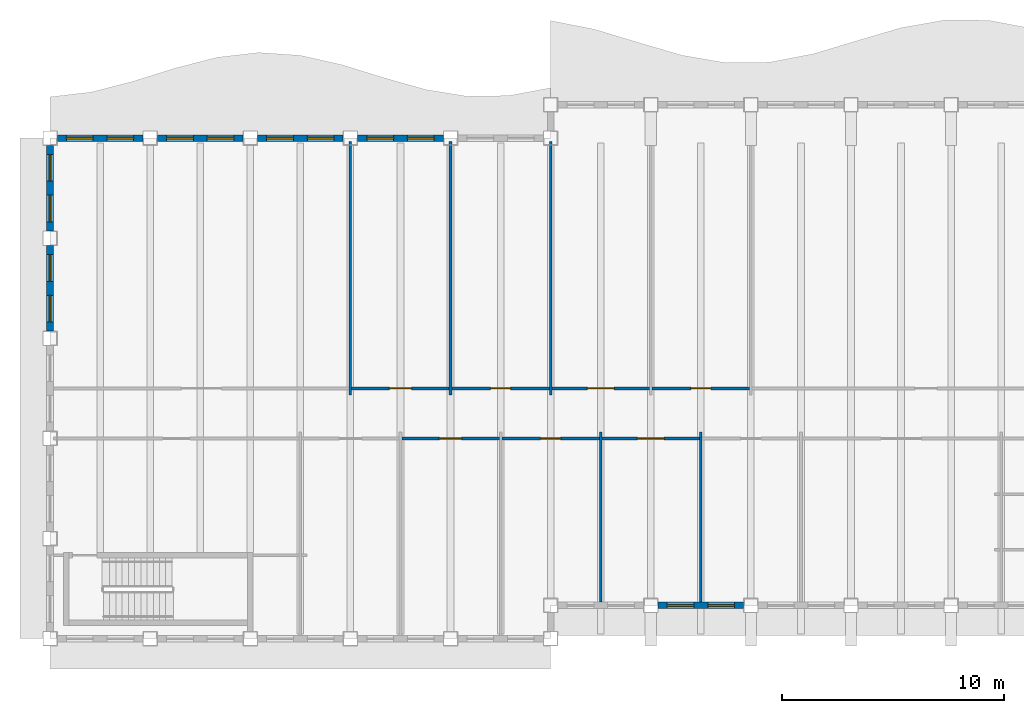
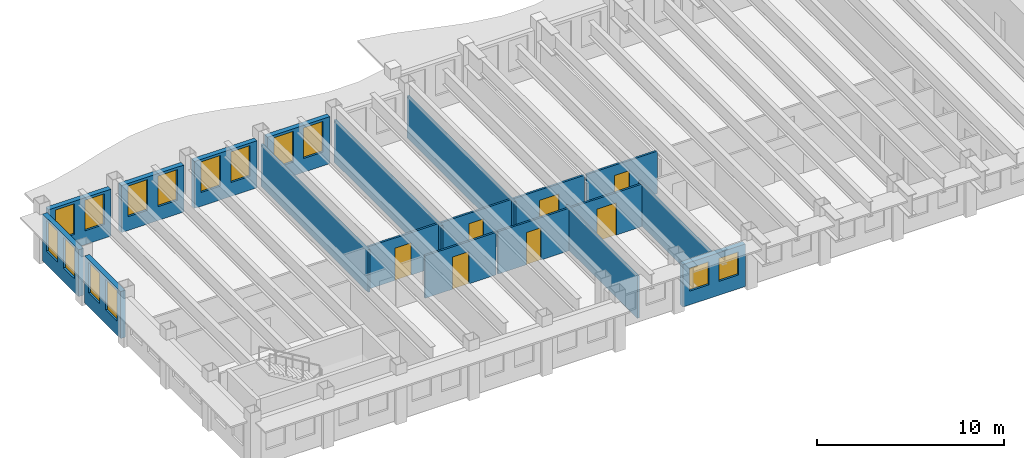
# One storey, part 3 of 12: 19 walls, 14 windows, 7 doors, 21 openings.
"""IFC4 building model written with IfcOpenShell, lengths in metres."""

from ifc_helpers import new_model, si_unit, direction, frame, frame_2d, origin, place, context, subcontext, project, spatial, rectangle, extrude, material, layer, layer_set, type_object, element, fill, save


model = new_model("IFC4")

# Units and contexts
model_context = context("Model", 3, precision=1e-05, world=origin(), true_north=direction((0.0, 1.0)))
body_context = subcontext(model_context, "Body", "Model", "MODEL_VIEW")
ifc_project = project(units=[si_unit("LENGTHUNIT", "METRE"), si_unit("AREAUNIT", "SQUARE_METRE"), si_unit("VOLUMEUNIT", "CUBIC_METRE"), si_unit("PLANEANGLEUNIT", "RADIAN"), si_unit("MASSUNIT", "GRAM", prefix="KILO")], contexts=[model_context])

# Site, building, storey
site_placement = place(None, origin())
site = spatial("IfcSite", under=ifc_project, at=site_placement, CompositionType="ELEMENT")
building_placement = place(site_placement, origin())
building = spatial("IfcBuilding", under=site, at=building_placement, Name="Sennacour Bend Tower", CompositionType="ELEMENT")
storey_placement = place(building_placement, frame((0.0, 0.0, 293.0)))
storey = spatial("IfcBuildingStorey", under=building, at=storey_placement, Name="L68", CompositionType="ELEMENT", Elevation=293.0)

# Walls
ifc_material_1 = material(Name="Plasterboard partition on steel studs", Category="steel")
ifc_layer_1 = layer(ifc_material_1, 0.1201171875, Name="Plasterboard partition on steel studs", Category="steel")
ifc_layer_set_1 = layer_set([ifc_layer_1], Name="Plasterboard partition on steel studs")
wall_type_1 = type_object("IfcWallType", Name="Partition 120", PredefinedType="PARTITIONING", material=ifc_layer_set_1)
for number, where, z_axis, x_axis, name in (
    (1, (13.5, 10.949951171875, 0.0), (0.0, 0.0, 1.0), (0.0, 1.0, 0.0), "P-L68-W005a"),
    (2, (18.0, 10.949951171875, 0.0), (0.0, 0.0, 1.0), (0.0, 1.0, 0.0), "P-L68-W007a"),
    (3, (22.5, 10.949951171875, 0.0), (0.0, 0.0, 1.0), (0.0, 1.0, 0.0), "P-L68-W009a"),
):
    element("IfcWall", number, at=place(storey_placement, frame(where, z_axis=z_axis, x_axis=x_axis)), inside=storey, type_object=wall_type_1, Name=name, PredefinedType="PARTITIONING", context=body_context, shape_type="SweptSolid", body=[
        extrude(rectangle(XDim=11.400146484375, YDim=0.1201171875, at=frame_2d((5.7001953125, 0.0))), origin(), (0.0, 0.0, 1.0), 2.77001953125),
    ])
for number, where, z_axis, x_axis, name in (
    (4, (24.75, 1.64990234375, 0.0), (0.0, 0.0, 1.0), (0.0, 1.0, 0.0), "P-L68-W010a"),
    (5, (29.25, 1.64990234375, 0.0), (0.0, 0.0, 1.0), (0.0, 1.0, 0.0), "P-L68-W012a"),
):
    element("IfcWall", number, at=place(storey_placement, frame(where, z_axis=z_axis, x_axis=x_axis)), inside=storey, type_object=wall_type_1, Name=name, PredefinedType="PARTITIONING", context=body_context, shape_type="SweptSolid", body=[
        extrude(rectangle(XDim=7.650146484375, YDim=0.1201171875, at=frame_2d((3.8251953125, 0.0))), origin(), (0.0, 0.0, 1.0), 2.77001953125),
    ])

# Wall, opening, door
wall_1_placement = place(storey_placement, frame((15.81005859375, 9.0, 0.0), z_axis=(0.0, 0.0, 1.0), x_axis=(1.0, 0.0, 0.0)))
wall_1 = element("IfcWall", 6, at=wall_1_placement, inside=storey, type_object=wall_type_1, Name="P-L68-W041ac", PredefinedType="PARTITIONING", context=body_context, shape_type="SweptSolid", body=[
    extrude(rectangle(XDim=4.3798828125, YDim=0.1201171875, at=frame_2d((2.18994140625, 0.0))), origin(), (0.0, 0.0, 1.0), 2.77001953125),
])
opening_1_placement = place(wall_1_placement, frame((1.68994140625, 0.0, 0.0)))
opening_1 = element("IfcOpeningElement", 7, at=opening_1_placement, cuts=wall_1, Name="Opening OD2", PredefinedType="OPENING", context=body_context, shape_type="SweptSolid", body=[
    extrude(rectangle(XDim=1.0, YDim=2.10009765625, at=frame_2d((0.5, 1.050048828125))), frame((0.0, 0.070068359375, 0.0), z_axis=(0.0, -1.0, 0.0), x_axis=(1.0, 0.0, 0.0)), (0.0, 0.0, 1.0), 0.14013671875),
])
ifc_material_2 = material(Name="Timber", Category="wood")
door_type_1 = type_object("IfcDoorType", Name="DR-OFFICE-1000", OperationType="NOTDEFINED", PredefinedType="DOOR", material=ifc_material_2)
door_1_placement = place(opening_1_placement, origin())
door_1 = element("IfcDoor", 8, at=door_1_placement, inside=storey, type_object=door_type_1, Name="Door", OperationType="SINGLE_SWING_LEFT", OverallHeight=2.10009765625, OverallWidth=1.0, PredefinedType="DOOR", context=body_context, shape_type="SweptSolid", body=[
    extrude(rectangle(XDim=1.0, YDim=2.10009765625, at=frame_2d((0.5, 1.050048828125))), frame((0.0, 0.02490234375, 0.0), z_axis=(0.0, -1.0, 0.0), x_axis=(1.0, 0.0, 0.0)), (0.0, 0.0, 1.0), 0.050048828125),
])
fill(opening_1, door_1)

wall_2_placement = place(storey_placement, frame((24.81005859375, 9.0, 0.0), z_axis=(0.0, 0.0, 1.0), x_axis=(1.0, 0.0, 0.0)))
wall_2 = element("IfcWall", 9, at=wall_2_placement, inside=storey, type_object=wall_type_1, Name="P-L68-W041ae", PredefinedType="PARTITIONING", context=body_context, shape_type="SweptSolid", body=[
    extrude(rectangle(XDim=4.3798828125, YDim=0.1201171875, at=frame_2d((2.18994140625, 0.0))), origin(), (0.0, 0.0, 1.0), 2.77001953125),
])
opening_2_placement = place(wall_2_placement, frame((1.58984375, 0.0, 0.0)))
opening_2 = element("IfcOpeningElement", 10, at=opening_2_placement, cuts=wall_2, Name="Opening OD", PredefinedType="OPENING", context=body_context, shape_type="SweptSolid", body=[
    extrude(rectangle(XDim=1.199951171875, YDim=2.10009765625, at=frame_2d((0.60009765625, 1.050048828125))), frame((0.0, 0.070068359375, 0.0), z_axis=(0.0, -1.0, 0.0), x_axis=(1.0, 0.0, 0.0)), (0.0, 0.0, 1.0), 0.14013671875),
])
door_type_2 = type_object("IfcDoorType", Name="DR-OFFICE-1200", OperationType="NOTDEFINED", PredefinedType="DOOR", material=ifc_material_2)
door_2_placement = place(opening_2_placement, origin())
door_2 = element("IfcDoor", 11, at=door_2_placement, inside=storey, type_object=door_type_2, Name="Door", OperationType="SINGLE_SWING_LEFT", OverallHeight=2.10009765625, OverallWidth=1.199951171875, PredefinedType="DOOR", context=body_context, shape_type="SweptSolid", body=[
    extrude(rectangle(XDim=1.199951171875, YDim=2.10009765625, at=frame_2d((0.60009765625, 1.050048828125))), frame((0.0, 0.02490234375, 0.0), z_axis=(0.0, -1.0, 0.0), x_axis=(1.0, 0.0, 0.0)), (0.0, 0.0, 1.0), 0.050048828125),
])
fill(opening_2, door_2)

wall_3_placement = place(storey_placement, frame((13.56005859375, 11.25, 0.0), z_axis=(0.0, 0.0, 1.0), x_axis=(1.0, 0.0, 0.0)))
wall_3 = element("IfcWall", 12, at=wall_3_placement, inside=storey, type_object=wall_type_1, Name="P-L68-W043ab", PredefinedType="PARTITIONING", context=body_context, shape_type="SweptSolid", body=[
    extrude(rectangle(XDim=4.3798828125, YDim=0.1201171875, at=frame_2d((2.18994140625, 0.0))), origin(), (0.0, 0.0, 1.0), 2.77001953125),
])
opening_3_placement = place(wall_3_placement, frame((1.68994140625, 0.0, 0.0)))
opening_3 = element("IfcOpeningElement", 13, at=opening_3_placement, cuts=wall_3, Name="Opening OD2", PredefinedType="OPENING", context=body_context, shape_type="SweptSolid", body=[
    extrude(rectangle(XDim=1.0, YDim=2.10009765625, at=frame_2d((0.5, 1.050048828125))), frame((0.0, 0.070068359375, 0.0), z_axis=(0.0, -1.0, 0.0), x_axis=(1.0, 0.0, 0.0)), (0.0, 0.0, 1.0), 0.14013671875),
])
door_3_placement = place(opening_3_placement, origin())
door_3 = element("IfcDoor", 14, at=door_3_placement, inside=storey, type_object=door_type_1, Name="Door", OperationType="SINGLE_SWING_LEFT", OverallHeight=2.10009765625, OverallWidth=1.0, PredefinedType="DOOR", context=body_context, shape_type="SweptSolid", body=[
    extrude(rectangle(XDim=1.0, YDim=2.10009765625, at=frame_2d((0.5, 1.050048828125))), frame((0.0, 0.02490234375, 0.0), z_axis=(0.0, -1.0, 0.0), x_axis=(1.0, 0.0, 0.0)), (0.0, 0.0, 1.0), 0.050048828125),
])
fill(opening_3, door_3)

wall_4_placement = place(storey_placement, frame((22.56005859375, 11.25, 0.0), z_axis=(0.0, 0.0, 1.0), x_axis=(1.0, 0.0, 0.0)))
wall_4 = element("IfcWall", 15, at=wall_4_placement, inside=storey, type_object=wall_type_1, Name="P-L68-W043ad", PredefinedType="PARTITIONING", context=body_context, shape_type="SweptSolid", body=[
    extrude(rectangle(XDim=4.3798828125, YDim=0.1201171875, at=frame_2d((2.18994140625, 0.0))), origin(), (0.0, 0.0, 1.0), 2.77001953125),
])
opening_4_placement = place(wall_4_placement, frame((1.58984375, 0.0, 0.0)))
opening_4 = element("IfcOpeningElement", 16, at=opening_4_placement, cuts=wall_4, Name="Opening OD", PredefinedType="OPENING", context=body_context, shape_type="SweptSolid", body=[
    extrude(rectangle(XDim=1.199951171875, YDim=2.10009765625, at=frame_2d((0.60009765625, 1.050048828125))), frame((0.0, 0.070068359375, 0.0), z_axis=(0.0, -1.0, 0.0), x_axis=(1.0, 0.0, 0.0)), (0.0, 0.0, 1.0), 0.14013671875),
])
door_4_placement = place(opening_4_placement, origin())
door_4 = element("IfcDoor", 17, at=door_4_placement, inside=storey, type_object=door_type_2, Name="Door", OperationType="SINGLE_SWING_LEFT", OverallHeight=2.10009765625, OverallWidth=1.199951171875, PredefinedType="DOOR", context=body_context, shape_type="SweptSolid", body=[
    extrude(rectangle(XDim=1.199951171875, YDim=2.10009765625, at=frame_2d((0.60009765625, 1.050048828125))), frame((0.0, 0.02490234375, 0.0), z_axis=(0.0, -1.0, 0.0), x_axis=(1.0, 0.0, 0.0)), (0.0, 0.0, 1.0), 0.050048828125),
])
fill(opening_4, door_4)

ifc_layer_2 = layer(ifc_material_1, 0.1201171875, Name="Plasterboard partition on steel studs", Category="steel")
ifc_layer_set_2 = layer_set([ifc_layer_2], Name="Plasterboard partition on steel studs")
wall_type_2 = type_object("IfcWallType", Name="Partition 120 EI 60", PredefinedType="PARTITIONING", material=ifc_layer_set_2)
wall_5_placement = place(storey_placement, frame((20.31005859375, 9.0, 0.0), z_axis=(0.0, 0.0, 1.0), x_axis=(1.0, 0.0, 0.0)))
wall_5 = element("IfcWall", 18, at=wall_5_placement, inside=storey, type_object=wall_type_2, Name="P-L68-W041ad", PredefinedType="PARTITIONING", context=body_context, shape_type="SweptSolid", body=[
    extrude(rectangle(XDim=4.3798828125, YDim=0.1201171875, at=frame_2d((2.18994140625, 0.0))), origin(), (0.0, 0.0, 1.0), 2.77001953125),
])
opening_5_placement = place(wall_5_placement, frame((1.739990234375, 0.0, 0.0)))
opening_5 = element("IfcOpeningElement", 19, at=opening_5_placement, cuts=wall_5, Name="Opening SV", PredefinedType="OPENING", context=body_context, shape_type="SweptSolid", body=[
    extrude(rectangle(XDim=0.89990234375, YDim=2.10009765625, at=frame_2d((0.449951171875, 1.050048828125))), frame((0.0, 0.070068359375, 0.0), z_axis=(0.0, -1.0, 0.0), x_axis=(1.0, 0.0, 0.0)), (0.0, 0.0, 1.0), 0.14013671875),
])
ifc_material_3 = material(Name="Painted steel", Category="steel")
door_type_3 = type_object("IfcDoorType", Name="DR-SERVICE-900", OperationType="NOTDEFINED", PredefinedType="DOOR", material=ifc_material_3)
door_5_placement = place(opening_5_placement, origin())
door_5 = element("IfcDoor", 20, at=door_5_placement, inside=storey, type_object=door_type_3, Name="Door", OperationType="SINGLE_SWING_LEFT", OverallHeight=2.10009765625, OverallWidth=0.89990234375, PredefinedType="DOOR", context=body_context, shape_type="SweptSolid", body=[
    extrude(rectangle(XDim=0.89990234375, YDim=2.10009765625, at=frame_2d((0.449951171875, 1.050048828125))), frame((0.0, 0.02490234375, 0.0), z_axis=(0.0, -1.0, 0.0), x_axis=(1.0, 0.0, 0.0)), (0.0, 0.0, 1.0), 0.050048828125),
])
fill(opening_5, door_5)

wall_6_placement = place(storey_placement, frame((18.06005859375, 11.25, 0.0), z_axis=(0.0, 0.0, 1.0), x_axis=(1.0, 0.0, 0.0)))
wall_6 = element("IfcWall", 21, at=wall_6_placement, inside=storey, type_object=wall_type_2, Name="P-L68-W043ac", PredefinedType="PARTITIONING", context=body_context, shape_type="SweptSolid", body=[
    extrude(rectangle(XDim=4.3798828125, YDim=0.1201171875, at=frame_2d((2.18994140625, 0.0))), origin(), (0.0, 0.0, 1.0), 2.77001953125),
])
opening_6_placement = place(wall_6_placement, frame((1.739990234375, 0.0, 0.0)))
opening_6 = element("IfcOpeningElement", 22, at=opening_6_placement, cuts=wall_6, Name="Opening SV", PredefinedType="OPENING", context=body_context, shape_type="SweptSolid", body=[
    extrude(rectangle(XDim=0.89990234375, YDim=2.10009765625, at=frame_2d((0.449951171875, 1.050048828125))), frame((0.0, 0.070068359375, 0.0), z_axis=(0.0, -1.0, 0.0), x_axis=(1.0, 0.0, 0.0)), (0.0, 0.0, 1.0), 0.14013671875),
])
door_6_placement = place(opening_6_placement, origin())
door_6 = element("IfcDoor", 23, at=door_6_placement, inside=storey, type_object=door_type_3, Name="Door", OperationType="SINGLE_SWING_LEFT", OverallHeight=2.10009765625, OverallWidth=0.89990234375, PredefinedType="DOOR", context=body_context, shape_type="SweptSolid", body=[
    extrude(rectangle(XDim=0.89990234375, YDim=2.10009765625, at=frame_2d((0.449951171875, 1.050048828125))), frame((0.0, 0.02490234375, 0.0), z_axis=(0.0, -1.0, 0.0), x_axis=(1.0, 0.0, 0.0)), (0.0, 0.0, 1.0), 0.050048828125),
])
fill(opening_6, door_6)

wall_7_placement = place(storey_placement, frame((27.06005859375, 11.25, 0.0), z_axis=(0.0, 0.0, 1.0), x_axis=(1.0, 0.0, 0.0)))
wall_7 = element("IfcWall", 24, at=wall_7_placement, inside=storey, type_object=wall_type_2, Name="P-L68-W043ae", PredefinedType="PARTITIONING", context=body_context, shape_type="SweptSolid", body=[
    extrude(rectangle(XDim=4.3798828125, YDim=0.1201171875, at=frame_2d((2.18994140625, 0.0))), origin(), (0.0, 0.0, 1.0), 2.77001953125),
])
opening_7_placement = place(wall_7_placement, frame((1.739990234375, 0.0, 0.0)))
opening_7 = element("IfcOpeningElement", 25, at=opening_7_placement, cuts=wall_7, Name="Opening SV", PredefinedType="OPENING", context=body_context, shape_type="SweptSolid", body=[
    extrude(rectangle(XDim=0.89990234375, YDim=2.10009765625, at=frame_2d((0.449951171875, 1.050048828125))), frame((0.0, 0.070068359375, 0.0), z_axis=(0.0, -1.0, 0.0), x_axis=(1.0, 0.0, 0.0)), (0.0, 0.0, 1.0), 0.14013671875),
])
door_7_placement = place(opening_7_placement, origin())
door_7 = element("IfcDoor", 26, at=door_7_placement, inside=storey, type_object=door_type_3, Name="Door", OperationType="SINGLE_SWING_LEFT", OverallHeight=2.10009765625, OverallWidth=0.89990234375, PredefinedType="DOOR", context=body_context, shape_type="SweptSolid", body=[
    extrude(rectangle(XDim=0.89990234375, YDim=2.10009765625, at=frame_2d((0.449951171875, 1.050048828125))), frame((0.0, 0.02490234375, 0.0), z_axis=(0.0, -1.0, 0.0), x_axis=(1.0, 0.0, 0.0)), (0.0, 0.0, 1.0), 0.050048828125),
])
fill(opening_7, door_7)

# Wall, openings, windows
ifc_material_4 = material(Name="Warm limestone cladding", Category="masonry")
ifc_layer_3 = layer(ifc_material_4, 0.050048828125, Name="Warm limestone cladding", Category="masonry")
ifc_material_5 = material(Name="Precast concrete C40/50", Category="concrete")
ifc_layer_4 = layer(ifc_material_5, 0.25, Name="Precast concrete C40/50", Category="concrete")
ifc_layer_set_3 = layer_set([ifc_layer_3, ifc_layer_4], Name="Precast concrete C40/50 with limestone cladding")
wall_type_3 = type_object("IfcWallType", Name="STONE-CLAD PRECAST SPANDREL 300", PredefinedType="STANDARD", material=ifc_layer_set_3)
wall_8_placement = place(storey_placement, frame((27.324951171875, 1.5, 0.0), z_axis=(0.0, 0.0, 1.0), x_axis=(1.0, 0.0, 0.0)))
wall_8 = element("IfcWall", 27, at=wall_8_placement, inside=storey, type_object=wall_type_3, Name="Stone spandrel and pier wall L68 01.01", PredefinedType="STANDARD", context=body_context, shape_type="SweptSolid", body=[
    extrude(rectangle(XDim=3.85009765625, YDim=0.300048828125, at=frame_2d((1.925048828125, 0.0))), origin(), (0.0, 0.0, 1.0), 2.77001953125),
])
opening_8_placement = place(wall_8_placement, frame((0.41259765625, 0.0, 0.89990234375)))
opening_8 = element("IfcOpeningElement", 28, at=opening_8_placement, cuts=wall_8, Name="Opening W25", PredefinedType="OPENING", context=body_context, shape_type="SweptSolid", body=[
    extrude(rectangle(XDim=1.199951171875, YDim=1.5, at=frame_2d((0.60009765625, 0.75))), frame((0.0, 0.16015625, 0.0), z_axis=(0.0, -1.0, 0.0), x_axis=(1.0, 0.0, 0.0)), (0.0, 0.0, 1.0), 0.320068359375),
])
opening_9_placement = place(wall_8_placement, frame((2.237548828125, 0.0, 0.89990234375)))
opening_9 = element("IfcOpeningElement", 29, at=opening_9_placement, cuts=wall_8, Name="Opening W25", PredefinedType="OPENING", context=body_context, shape_type="SweptSolid", body=[
    extrude(rectangle(XDim=1.199951171875, YDim=1.5, at=frame_2d((0.60009765625, 0.75))), frame((0.0, 0.16015625, 0.0), z_axis=(0.0, -1.0, 0.0), x_axis=(1.0, 0.0, 0.0)), (0.0, 0.0, 1.0), 0.320068359375),
])
ifc_material_6 = material(Name="Clear low-emissivity glass", Category="glass")
window_type_1 = type_object("IfcWindowType", Name="WIN-RIBBON-1200x1500", PartitioningType="SINGLE_PANEL", PredefinedType="WINDOW", material=ifc_material_6)
window_1_placement = place(opening_8_placement, origin())
window_1 = element("IfcWindow", 30, at=window_1_placement, inside=storey, type_object=window_type_1, Name="Ribbon window L68 01.01.0", OverallHeight=1.5, OverallWidth=1.199951171875, PartitioningType="SINGLE_PANEL", PredefinedType="WINDOW", context=body_context, shape_type="SweptSolid", body=[
    extrude(rectangle(XDim=1.199951171875, YDim=1.5, at=frame_2d((0.60009765625, 0.75))), frame((0.0, 0.030029296875, 0.0), z_axis=(0.0, -1.0, 0.0), x_axis=(1.0, 0.0, 0.0)), (0.0, 0.0, 1.0), 0.06005859375),
])
fill(opening_8, window_1)
window_2_placement = place(opening_9_placement, origin())
window_2 = element("IfcWindow", 31, at=window_2_placement, inside=storey, type_object=window_type_1, Name="Ribbon window L68 01.01.1", OverallHeight=1.5, OverallWidth=1.199951171875, PartitioningType="SINGLE_PANEL", PredefinedType="WINDOW", context=body_context, shape_type="SweptSolid", body=[
    extrude(rectangle(XDim=1.199951171875, YDim=1.5, at=frame_2d((0.60009765625, 0.75))), frame((0.0, 0.030029296875, 0.0), z_axis=(0.0, -1.0, 0.0), x_axis=(1.0, 0.0, 0.0)), (0.0, 0.0, 1.0), 0.06005859375),
])
fill(opening_9, window_2)

wall_9_placement = place(storey_placement, frame((17.675048828125, 22.5, 0.0), z_axis=(0.0, 0.0, 1.0), x_axis=(-1.0, 0.0, 0.0)))
wall_9 = element("IfcWall", 32, at=wall_9_placement, inside=storey, type_object=wall_type_3, Name="Stone spandrel and pier wall L68 09.01", PredefinedType="STANDARD", context=body_context, shape_type="SweptSolid", body=[
    extrude(rectangle(XDim=3.85009765625, YDim=0.300048828125, at=frame_2d((1.925048828125, 0.0))), origin(), (0.0, 0.0, 1.0), 3.06201171875),
])
opening_10_placement = place(wall_9_placement, frame((0.41259765625, 0.0, 0.89990234375)))
opening_10 = element("IfcOpeningElement", 33, at=opening_10_placement, cuts=wall_9, Name="Opening W14", PredefinedType="OPENING", context=body_context, shape_type="SweptSolid", body=[
    extrude(rectangle(XDim=1.199951171875, YDim=2.0, at=frame_2d((0.60009765625, 1.0))), frame((0.0, 0.16015625, 0.0), z_axis=(0.0, -1.0, 0.0), x_axis=(1.0, 0.0, 0.0)), (0.0, 0.0, 1.0), 0.320068359375),
])
opening_11_placement = place(wall_9_placement, frame((2.237548828125, 0.0, 0.89990234375)))
opening_11 = element("IfcOpeningElement", 34, at=opening_11_placement, cuts=wall_9, Name="Opening W14", PredefinedType="OPENING", context=body_context, shape_type="SweptSolid", body=[
    extrude(rectangle(XDim=1.199951171875, YDim=2.0, at=frame_2d((0.60009765625, 1.0))), frame((0.0, 0.16015625, 0.0), z_axis=(0.0, -1.0, 0.0), x_axis=(1.0, 0.0, 0.0)), (0.0, 0.0, 1.0), 0.320068359375),
])
window_type_2 = type_object("IfcWindowType", Name="WIN-RIBBON-1200x2000", PartitioningType="SINGLE_PANEL", PredefinedType="WINDOW", material=ifc_material_6)
window_3_placement = place(opening_10_placement, origin())
window_3 = element("IfcWindow", 35, at=window_3_placement, inside=storey, type_object=window_type_2, Name="Ribbon window L68 09.01.0", OverallHeight=2.0, OverallWidth=1.199951171875, PartitioningType="SINGLE_PANEL", PredefinedType="WINDOW", context=body_context, shape_type="SweptSolid", body=[
    extrude(rectangle(XDim=1.199951171875, YDim=2.0, at=frame_2d((0.60009765625, 1.0))), frame((0.0, 0.030029296875, 0.0), z_axis=(0.0, -1.0, 0.0), x_axis=(1.0, 0.0, 0.0)), (0.0, 0.0, 1.0), 0.06005859375),
])
fill(opening_10, window_3)
window_4_placement = place(opening_11_placement, origin())
window_4 = element("IfcWindow", 36, at=window_4_placement, inside=storey, type_object=window_type_2, Name="Ribbon window L68 09.01.1", OverallHeight=2.0, OverallWidth=1.199951171875, PartitioningType="SINGLE_PANEL", PredefinedType="WINDOW", context=body_context, shape_type="SweptSolid", body=[
    extrude(rectangle(XDim=1.199951171875, YDim=2.0, at=frame_2d((0.60009765625, 1.0))), frame((0.0, 0.030029296875, 0.0), z_axis=(0.0, -1.0, 0.0), x_axis=(1.0, 0.0, 0.0)), (0.0, 0.0, 1.0), 0.06005859375),
])
fill(opening_11, window_4)

wall_10_placement = place(storey_placement, frame((13.175048828125, 22.5, 0.0), z_axis=(0.0, 0.0, 1.0), x_axis=(-1.0, 0.0, 0.0)))
wall_10 = element("IfcWall", 37, at=wall_10_placement, inside=storey, type_object=wall_type_3, Name="Stone spandrel and pier wall L68 09.02", PredefinedType="STANDARD", context=body_context, shape_type="SweptSolid", body=[
    extrude(rectangle(XDim=3.85009765625, YDim=0.300048828125, at=frame_2d((1.925048828125, 0.0))), origin(), (0.0, 0.0, 1.0), 3.06201171875),
])
opening_12_placement = place(wall_10_placement, frame((0.41259765625, 0.0, 0.89990234375)))
opening_12 = element("IfcOpeningElement", 38, at=opening_12_placement, cuts=wall_10, Name="Opening W14", PredefinedType="OPENING", context=body_context, shape_type="SweptSolid", body=[
    extrude(rectangle(XDim=1.199951171875, YDim=2.0, at=frame_2d((0.60009765625, 1.0))), frame((0.0, 0.16015625, 0.0), z_axis=(0.0, -1.0, 0.0), x_axis=(1.0, 0.0, 0.0)), (0.0, 0.0, 1.0), 0.320068359375),
])
opening_13_placement = place(wall_10_placement, frame((2.237548828125, 0.0, 0.89990234375)))
opening_13 = element("IfcOpeningElement", 39, at=opening_13_placement, cuts=wall_10, Name="Opening W14", PredefinedType="OPENING", context=body_context, shape_type="SweptSolid", body=[
    extrude(rectangle(XDim=1.199951171875, YDim=2.0, at=frame_2d((0.60009765625, 1.0))), frame((0.0, 0.16015625, 0.0), z_axis=(0.0, -1.0, 0.0), x_axis=(1.0, 0.0, 0.0)), (0.0, 0.0, 1.0), 0.320068359375),
])
window_5_placement = place(opening_12_placement, origin())
window_5 = element("IfcWindow", 40, at=window_5_placement, inside=storey, type_object=window_type_2, Name="Ribbon window L68 09.02.0", OverallHeight=2.0, OverallWidth=1.199951171875, PartitioningType="SINGLE_PANEL", PredefinedType="WINDOW", context=body_context, shape_type="SweptSolid", body=[
    extrude(rectangle(XDim=1.199951171875, YDim=2.0, at=frame_2d((0.60009765625, 1.0))), frame((0.0, 0.030029296875, 0.0), z_axis=(0.0, -1.0, 0.0), x_axis=(1.0, 0.0, 0.0)), (0.0, 0.0, 1.0), 0.06005859375),
])
fill(opening_12, window_5)
window_6_placement = place(opening_13_placement, origin())
window_6 = element("IfcWindow", 41, at=window_6_placement, inside=storey, type_object=window_type_2, Name="Ribbon window L68 09.02.1", OverallHeight=2.0, OverallWidth=1.199951171875, PartitioningType="SINGLE_PANEL", PredefinedType="WINDOW", context=body_context, shape_type="SweptSolid", body=[
    extrude(rectangle(XDim=1.199951171875, YDim=2.0, at=frame_2d((0.60009765625, 1.0))), frame((0.0, 0.030029296875, 0.0), z_axis=(0.0, -1.0, 0.0), x_axis=(1.0, 0.0, 0.0)), (0.0, 0.0, 1.0), 0.06005859375),
])
fill(opening_13, window_6)

wall_11_placement = place(storey_placement, frame((8.675048828125, 22.5, 0.0), z_axis=(0.0, 0.0, 1.0), x_axis=(-1.0, 0.0, 0.0)))
wall_11 = element("IfcWall", 42, at=wall_11_placement, inside=storey, type_object=wall_type_3, Name="Stone spandrel and pier wall L68 09.03", PredefinedType="STANDARD", context=body_context, shape_type="SweptSolid", body=[
    extrude(rectangle(XDim=3.85009765625, YDim=0.300048828125, at=frame_2d((1.925048828125, 0.0))), origin(), (0.0, 0.0, 1.0), 3.06201171875),
])
opening_14_placement = place(wall_11_placement, frame((0.41259765625, 0.0, 0.89990234375)))
opening_14 = element("IfcOpeningElement", 43, at=opening_14_placement, cuts=wall_11, Name="Opening W14", PredefinedType="OPENING", context=body_context, shape_type="SweptSolid", body=[
    extrude(rectangle(XDim=1.199951171875, YDim=2.0, at=frame_2d((0.60009765625, 1.0))), frame((0.0, 0.16015625, 0.0), z_axis=(0.0, -1.0, 0.0), x_axis=(1.0, 0.0, 0.0)), (0.0, 0.0, 1.0), 0.320068359375),
])
opening_15_placement = place(wall_11_placement, frame((2.237548828125, 0.0, 0.89990234375)))
opening_15 = element("IfcOpeningElement", 44, at=opening_15_placement, cuts=wall_11, Name="Opening W14", PredefinedType="OPENING", context=body_context, shape_type="SweptSolid", body=[
    extrude(rectangle(XDim=1.199951171875, YDim=2.0, at=frame_2d((0.60009765625, 1.0))), frame((0.0, 0.16015625, 0.0), z_axis=(0.0, -1.0, 0.0), x_axis=(1.0, 0.0, 0.0)), (0.0, 0.0, 1.0), 0.320068359375),
])
window_7_placement = place(opening_14_placement, origin())
window_7 = element("IfcWindow", 45, at=window_7_placement, inside=storey, type_object=window_type_2, Name="Ribbon window L68 09.03.0", OverallHeight=2.0, OverallWidth=1.199951171875, PartitioningType="SINGLE_PANEL", PredefinedType="WINDOW", context=body_context, shape_type="SweptSolid", body=[
    extrude(rectangle(XDim=1.199951171875, YDim=2.0, at=frame_2d((0.60009765625, 1.0))), frame((0.0, 0.030029296875, 0.0), z_axis=(0.0, -1.0, 0.0), x_axis=(1.0, 0.0, 0.0)), (0.0, 0.0, 1.0), 0.06005859375),
])
fill(opening_14, window_7)
window_8_placement = place(opening_15_placement, origin())
window_8 = element("IfcWindow", 46, at=window_8_placement, inside=storey, type_object=window_type_2, Name="Ribbon window L68 09.03.1", OverallHeight=2.0, OverallWidth=1.199951171875, PartitioningType="SINGLE_PANEL", PredefinedType="WINDOW", context=body_context, shape_type="SweptSolid", body=[
    extrude(rectangle(XDim=1.199951171875, YDim=2.0, at=frame_2d((0.60009765625, 1.0))), frame((0.0, 0.030029296875, 0.0), z_axis=(0.0, -1.0, 0.0), x_axis=(1.0, 0.0, 0.0)), (0.0, 0.0, 1.0), 0.06005859375),
])
fill(opening_15, window_8)

wall_12_placement = place(storey_placement, frame((4.175048828125, 22.5, 0.0), z_axis=(0.0, 0.0, 1.0), x_axis=(-1.0, 0.0, 0.0)))
wall_12 = element("IfcWall", 47, at=wall_12_placement, inside=storey, type_object=wall_type_3, Name="Stone spandrel and pier wall L68 09.04", PredefinedType="STANDARD", context=body_context, shape_type="SweptSolid", body=[
    extrude(rectangle(XDim=3.85009765625, YDim=0.300048828125, at=frame_2d((1.925048828125, 0.0))), origin(), (0.0, 0.0, 1.0), 3.06201171875),
])
opening_16_placement = place(wall_12_placement, frame((0.41259765625, 0.0, 0.89990234375)))
opening_16 = element("IfcOpeningElement", 48, at=opening_16_placement, cuts=wall_12, Name="Opening W14", PredefinedType="OPENING", context=body_context, shape_type="SweptSolid", body=[
    extrude(rectangle(XDim=1.199951171875, YDim=2.0, at=frame_2d((0.60009765625, 1.0))), frame((0.0, 0.16015625, 0.0), z_axis=(0.0, -1.0, 0.0), x_axis=(1.0, 0.0, 0.0)), (0.0, 0.0, 1.0), 0.320068359375),
])
opening_17_placement = place(wall_12_placement, frame((2.237548828125, 0.0, 0.89990234375)))
opening_17 = element("IfcOpeningElement", 49, at=opening_17_placement, cuts=wall_12, Name="Opening W14", PredefinedType="OPENING", context=body_context, shape_type="SweptSolid", body=[
    extrude(rectangle(XDim=1.199951171875, YDim=2.0, at=frame_2d((0.60009765625, 1.0))), frame((0.0, 0.16015625, 0.0), z_axis=(0.0, -1.0, 0.0), x_axis=(1.0, 0.0, 0.0)), (0.0, 0.0, 1.0), 0.320068359375),
])
window_9_placement = place(opening_16_placement, origin())
window_9 = element("IfcWindow", 50, at=window_9_placement, inside=storey, type_object=window_type_2, Name="Ribbon window L68 09.04.0", OverallHeight=2.0, OverallWidth=1.199951171875, PartitioningType="SINGLE_PANEL", PredefinedType="WINDOW", context=body_context, shape_type="SweptSolid", body=[
    extrude(rectangle(XDim=1.199951171875, YDim=2.0, at=frame_2d((0.60009765625, 1.0))), frame((0.0, 0.030029296875, 0.0), z_axis=(0.0, -1.0, 0.0), x_axis=(1.0, 0.0, 0.0)), (0.0, 0.0, 1.0), 0.06005859375),
])
fill(opening_16, window_9)
window_10_placement = place(opening_17_placement, origin())
window_10 = element("IfcWindow", 51, at=window_10_placement, inside=storey, type_object=window_type_2, Name="Ribbon window L68 09.04.1", OverallHeight=2.0, OverallWidth=1.199951171875, PartitioningType="SINGLE_PANEL", PredefinedType="WINDOW", context=body_context, shape_type="SweptSolid", body=[
    extrude(rectangle(XDim=1.199951171875, YDim=2.0, at=frame_2d((0.60009765625, 1.0))), frame((0.0, 0.030029296875, 0.0), z_axis=(0.0, -1.0, 0.0), x_axis=(1.0, 0.0, 0.0)), (0.0, 0.0, 1.0), 0.06005859375),
])
fill(opening_17, window_10)

wall_13_placement = place(storey_placement, frame((0.0, 22.175048828125, 0.0), z_axis=(0.0, 0.0, 1.0), x_axis=(0.0, -1.0, 0.0)))
wall_13 = element("IfcWall", 52, at=wall_13_placement, inside=storey, type_object=wall_type_3, Name="Stone spandrel and pier wall L68 10.00", PredefinedType="STANDARD", context=body_context, shape_type="SweptSolid", body=[
    extrude(rectangle(XDim=3.85009765625, YDim=0.300048828125, at=frame_2d((1.925048828125, 0.0))), origin(), (0.0, 0.0, 1.0), 3.06201171875),
])
opening_18_placement = place(wall_13_placement, frame((0.41259765625, 0.0, 0.89990234375)))
opening_18 = element("IfcOpeningElement", 53, at=opening_18_placement, cuts=wall_13, Name="Opening W14", PredefinedType="OPENING", context=body_context, shape_type="SweptSolid", body=[
    extrude(rectangle(XDim=1.199951171875, YDim=2.0, at=frame_2d((0.60009765625, 1.0))), frame((0.0, 0.16015625, 0.0), z_axis=(0.0, -1.0, 0.0), x_axis=(1.0, 0.0, 0.0)), (0.0, 0.0, 1.0), 0.320068359375),
])
opening_19_placement = place(wall_13_placement, frame((2.237548828125, 0.0, 0.89990234375)))
opening_19 = element("IfcOpeningElement", 54, at=opening_19_placement, cuts=wall_13, Name="Opening W14", PredefinedType="OPENING", context=body_context, shape_type="SweptSolid", body=[
    extrude(rectangle(XDim=1.199951171875, YDim=2.0, at=frame_2d((0.60009765625, 1.0))), frame((0.0, 0.16015625, 0.0), z_axis=(0.0, -1.0, 0.0), x_axis=(1.0, 0.0, 0.0)), (0.0, 0.0, 1.0), 0.320068359375),
])
window_11_placement = place(opening_18_placement, origin())
window_11 = element("IfcWindow", 55, at=window_11_placement, inside=storey, type_object=window_type_2, Name="Ribbon window L68 10.00.0", OverallHeight=2.0, OverallWidth=1.199951171875, PartitioningType="SINGLE_PANEL", PredefinedType="WINDOW", context=body_context, shape_type="SweptSolid", body=[
    extrude(rectangle(XDim=1.199951171875, YDim=2.0, at=frame_2d((0.60009765625, 1.0))), frame((0.0, 0.030029296875, 0.0), z_axis=(0.0, -1.0, 0.0), x_axis=(1.0, 0.0, 0.0)), (0.0, 0.0, 1.0), 0.06005859375),
])
fill(opening_18, window_11)
window_12_placement = place(opening_19_placement, origin())
window_12 = element("IfcWindow", 56, at=window_12_placement, inside=storey, type_object=window_type_2, Name="Ribbon window L68 10.00.1", OverallHeight=2.0, OverallWidth=1.199951171875, PartitioningType="SINGLE_PANEL", PredefinedType="WINDOW", context=body_context, shape_type="SweptSolid", body=[
    extrude(rectangle(XDim=1.199951171875, YDim=2.0, at=frame_2d((0.60009765625, 1.0))), frame((0.0, 0.030029296875, 0.0), z_axis=(0.0, -1.0, 0.0), x_axis=(1.0, 0.0, 0.0)), (0.0, 0.0, 1.0), 0.06005859375),
])
fill(opening_19, window_12)

wall_14_placement = place(storey_placement, frame((0.0, 17.675048828125, 0.0), z_axis=(0.0, 0.0, 1.0), x_axis=(0.0, -1.0, 0.0)))
wall_14 = element("IfcWall", 57, at=wall_14_placement, inside=storey, type_object=wall_type_3, Name="Stone spandrel and pier wall L68 10.01", PredefinedType="STANDARD", context=body_context, shape_type="SweptSolid", body=[
    extrude(rectangle(XDim=3.85009765625, YDim=0.300048828125, at=frame_2d((1.925048828125, 0.0))), origin(), (0.0, 0.0, 1.0), 3.06201171875),
])
opening_20_placement = place(wall_14_placement, frame((0.41259765625, 0.0, 0.89990234375)))
opening_20 = element("IfcOpeningElement", 58, at=opening_20_placement, cuts=wall_14, Name="Opening W14", PredefinedType="OPENING", context=body_context, shape_type="SweptSolid", body=[
    extrude(rectangle(XDim=1.199951171875, YDim=2.0, at=frame_2d((0.60009765625, 1.0))), frame((0.0, 0.16015625, 0.0), z_axis=(0.0, -1.0, 0.0), x_axis=(1.0, 0.0, 0.0)), (0.0, 0.0, 1.0), 0.320068359375),
])
opening_21_placement = place(wall_14_placement, frame((2.237548828125, 0.0, 0.89990234375)))
opening_21 = element("IfcOpeningElement", 59, at=opening_21_placement, cuts=wall_14, Name="Opening W14", PredefinedType="OPENING", context=body_context, shape_type="SweptSolid", body=[
    extrude(rectangle(XDim=1.199951171875, YDim=2.0, at=frame_2d((0.60009765625, 1.0))), frame((0.0, 0.16015625, 0.0), z_axis=(0.0, -1.0, 0.0), x_axis=(1.0, 0.0, 0.0)), (0.0, 0.0, 1.0), 0.320068359375),
])
window_13_placement = place(opening_20_placement, origin())
window_13 = element("IfcWindow", 60, at=window_13_placement, inside=storey, type_object=window_type_2, Name="Ribbon window L68 10.01.0", OverallHeight=2.0, OverallWidth=1.199951171875, PartitioningType="SINGLE_PANEL", PredefinedType="WINDOW", context=body_context, shape_type="SweptSolid", body=[
    extrude(rectangle(XDim=1.199951171875, YDim=2.0, at=frame_2d((0.60009765625, 1.0))), frame((0.0, 0.030029296875, 0.0), z_axis=(0.0, -1.0, 0.0), x_axis=(1.0, 0.0, 0.0)), (0.0, 0.0, 1.0), 0.06005859375),
])
fill(opening_20, window_13)
window_14_placement = place(opening_21_placement, origin())
window_14 = element("IfcWindow", 61, at=window_14_placement, inside=storey, type_object=window_type_2, Name="Ribbon window L68 10.01.1", OverallHeight=2.0, OverallWidth=1.199951171875, PartitioningType="SINGLE_PANEL", PredefinedType="WINDOW", context=body_context, shape_type="SweptSolid", body=[
    extrude(rectangle(XDim=1.199951171875, YDim=2.0, at=frame_2d((0.60009765625, 1.0))), frame((0.0, 0.030029296875, 0.0), z_axis=(0.0, -1.0, 0.0), x_axis=(1.0, 0.0, 0.0)), (0.0, 0.0, 1.0), 0.06005859375),
])
fill(opening_21, window_14)

save(model, "model.ifc")
